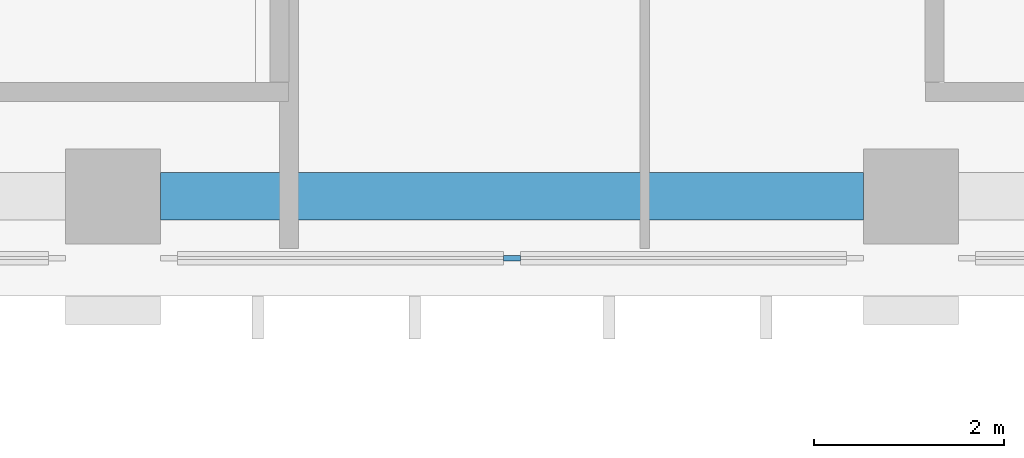
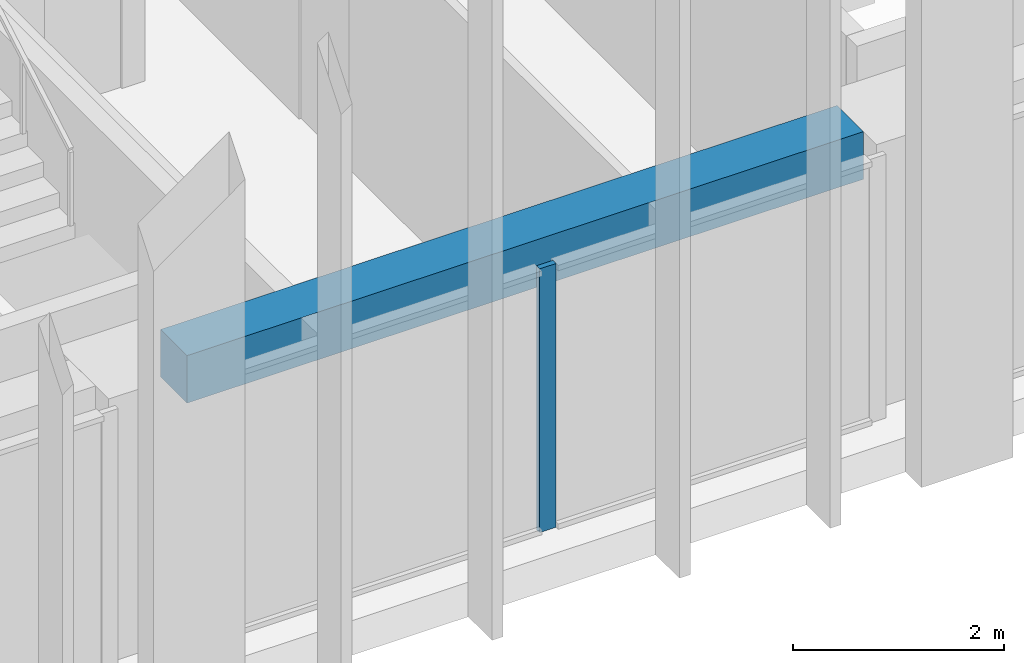
# One storey, part 3 of 17: 1 beam, 1 member, 1 element without a shape of its own.
"""IFC4 building model written with IfcOpenShell, lengths in metres."""

from ifc_helpers import new_model, si_unit, direction, frame, origin, origin_2d, place, context, subcontext, project, spatial, rectangle, extrude, material, material_profile, profile_set, type_object, element, aggregate, save


model = new_model("IFC4")

# Units and contexts
model_context = context("Model", 3, precision=1e-05, world=origin(), true_north=direction((0.0, 1.0)))
body_context = subcontext(model_context, "Body", "Model", "MODEL_VIEW")
ifc_project = project(units=[si_unit("LENGTHUNIT", "METRE"), si_unit("AREAUNIT", "SQUARE_METRE"), si_unit("VOLUMEUNIT", "CUBIC_METRE"), si_unit("PLANEANGLEUNIT", "RADIAN"), si_unit("MASSUNIT", "GRAM", prefix="KILO")], contexts=[model_context])

# Site, building, storey
site_placement = place(None, origin())
site = spatial("IfcSite", under=ifc_project, at=site_placement, CompositionType="ELEMENT")
building_placement = place(site_placement, origin())
building = spatial("IfcBuilding", under=site, at=building_placement, Name="Vermilion Ogive Tower", CompositionType="ELEMENT")
storey_placement = place(building_placement, frame((0.0, 0.0, 175.550048828125)))
storey = spatial("IfcBuildingStorey", under=building, at=storey_placement, Name="L45", CompositionType="ELEMENT", Elevation=175.550048828125)

# Curtain wall, member
ifc_material_1 = material(Name="Low-iron laminated glazing in aluminium frame", Category="aluminium")
curtain_wall_type = type_object("IfcCurtainWallType", Name="Curtain wall CW7", PredefinedType="NOTDEFINED", material=ifc_material_1)
curtain_wall_placement = place(storey_placement, origin())
curtain_wall = element("IfcCurtainWall", 1, at=curtain_wall_placement, inside=storey, type_object=curtain_wall_type, Name="Glazed skin S3", PredefinedType="NOTDEFINED")
ifc_material_2 = material(Name="Aluminium mullion", Category="aluminium")
ifc_material_profile_1 = material_profile(ifc_material_2, rectangle(XDim=0.06005859375, YDim=0.179931640625, at=origin_2d()), Name="AL 60x180")
ifc_profile_set_1 = profile_set([ifc_material_profile_1], Name="Aluminium mullion")
member_type = type_object("IfcMemberType", Name="CW7 mullion 60x180", PredefinedType="MULLION", material=ifc_profile_set_1)
member_placement = place(storey_placement, frame((4.199951171875, -21.64990234375, 0.0), z_axis=(0.0, 0.0, 1.0), x_axis=(0.0, 1.0, 0.0)))
member = element("IfcMember", 2, at=member_placement, type_object=member_type, Name="CW7-S3 mullion 2", PredefinedType="MULLION", context=body_context, shape_type="SweptSolid", body=[
    extrude(rectangle(XDim=0.06005859375, YDim=0.179931640625, at=origin_2d()), origin(), (0.0, 0.0, 1.0), 3.050048828125),
])
aggregate(curtain_wall, [member])

# Beam
ifc_material_3 = material(Name="Concrete B45", Category="concrete")
ifc_material_profile_2 = material_profile(ifc_material_3, rectangle(XDim=0.5, YDim=0.550048828125, at=origin_2d()), Name="500 x 550")
ifc_profile_set_2 = profile_set([ifc_material_profile_2], Name="Concrete B45")
beam_type = type_object("IfcBeamType", Name="Edge beam 500 x 550 B45", PredefinedType="BEAM", material=ifc_profile_set_2)
beam_placement = place(storey_placement, frame((0.5, -21.0, 2.77490234375), z_axis=(1.0, 0.0, 0.0), x_axis=(0.0, 1.0, 0.0)))
element("IfcBeam", 3, at=beam_placement, inside=storey, type_object=beam_type, Name="L45-EB-3", PredefinedType="BEAM", context=body_context, shape_type="SweptSolid", body=[
    extrude(rectangle(XDim=0.5, YDim=0.550048828125, at=origin_2d()), origin(), (0.0, 0.0, 1.0), 7.39990234375),
])

save(model, "model.ifc")
